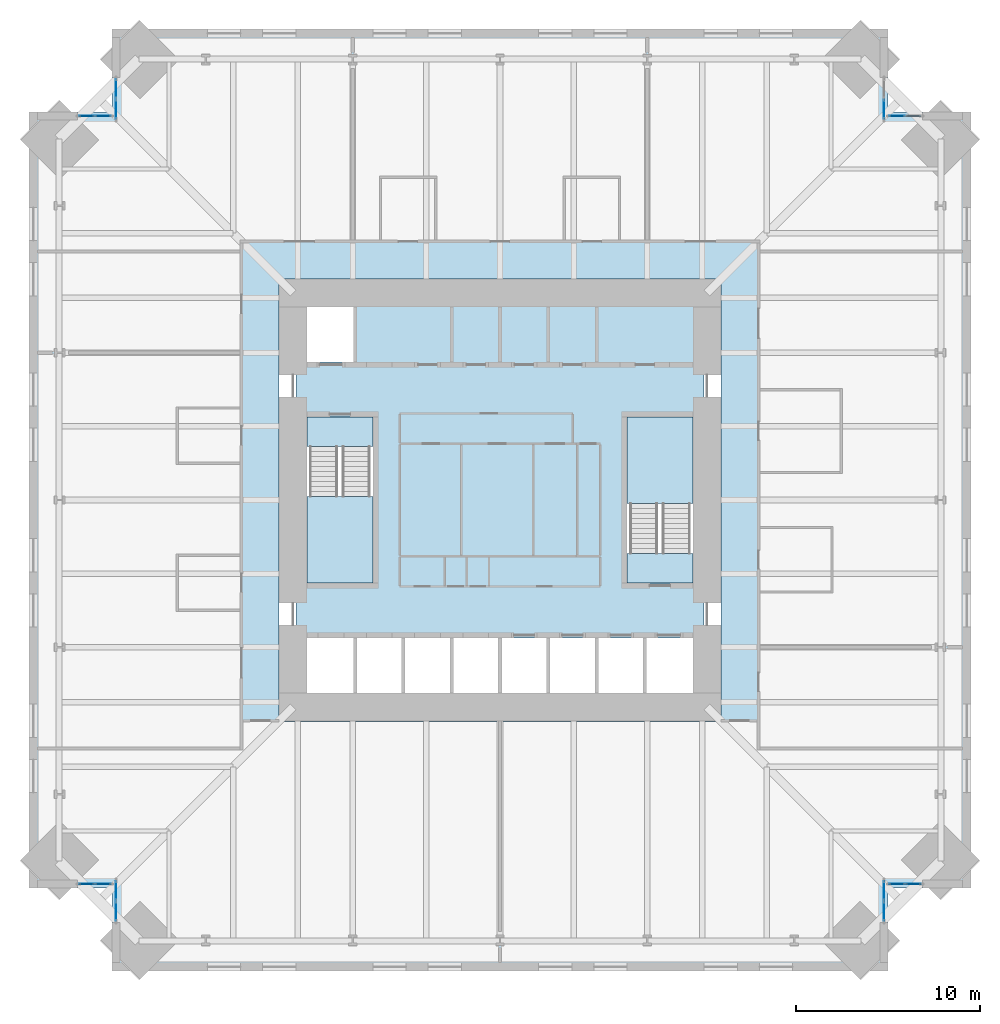
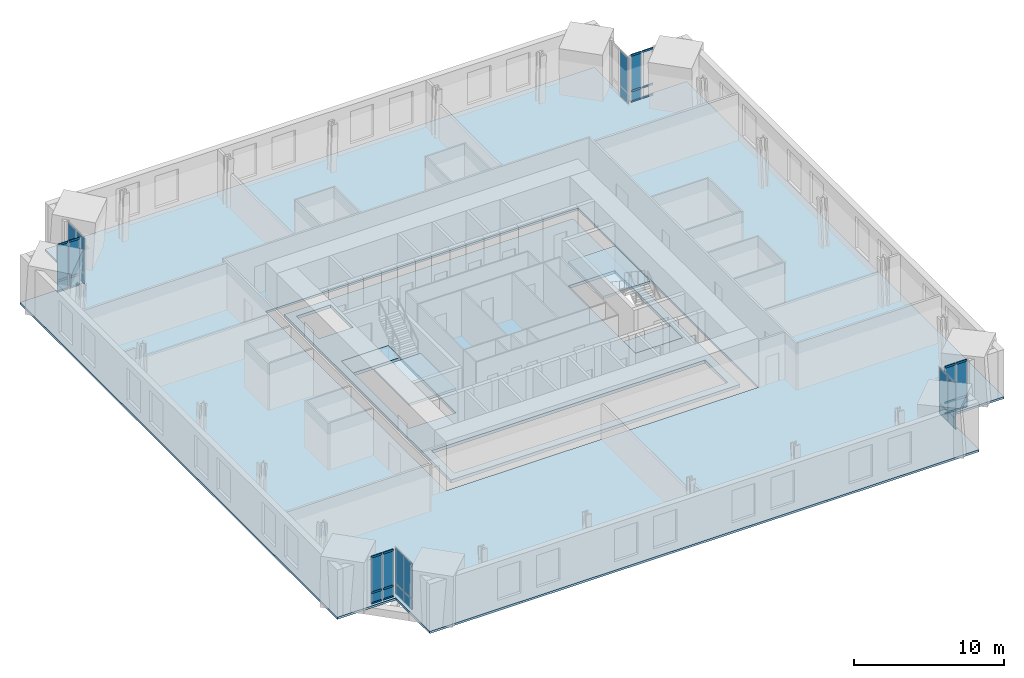
# One storey, part 12 of 18: 28 plates, 24 members, 6 slabs, 10 elements without a shape of their own.
"""IFC4 building model written with IfcOpenShell, lengths in metres."""

from ifc_helpers import new_model, si_unit, direction, frame, origin, origin_2d, place, context, subcontext, project, spatial, polyline, rectangle, hollow_rectangle, outline, extrude, material, layer, layer_set, material_profile, profile_set, type_object, element, aggregate, save


model = new_model("IFC4")

# Units and contexts
model_context = context("Model", 3, precision=1e-05, world=origin(), true_north=direction((0.0, 1.0)))
body_context = subcontext(model_context, "Body", "Model", "MODEL_VIEW")
ifc_project = project(units=[si_unit("LENGTHUNIT", "METRE"), si_unit("AREAUNIT", "SQUARE_METRE"), si_unit("VOLUMEUNIT", "CUBIC_METRE"), si_unit("PLANEANGLEUNIT", "RADIAN"), si_unit("MASSUNIT", "GRAM", prefix="KILO")], contexts=[model_context])

# Site, building, storey
site_placement = place(None, origin())
site = spatial("IfcSite", under=ifc_project, at=site_placement, CompositionType="ELEMENT")
building_placement = place(site_placement, origin())
building = spatial("IfcBuilding", under=site, at=building_placement, Name="Peilmerk Tower", CompositionType="ELEMENT")
storey_placement = place(building_placement, frame((0.0, 0.0, 171.800048828125)))
storey = spatial("IfcBuildingStorey", under=building, at=storey_placement, Name="L36", CompositionType="ELEMENT", Elevation=171.800048828125)

# Curtain wall, members
ifc_material_1 = material(Name="Aluminium stick curtain wall", Category="aluminium")
curtain_wall_type = type_object("IfcCurtainWallType", Name="CW3 stick curtain wall, 2250 module", PredefinedType="NOTDEFINED", material=ifc_material_1)
curtain_wall_1_placement = place(storey_placement, origin())
curtain_wall_1 = element("IfcCurtainWall", 1, at=curtain_wall_1_placement, inside=storey, type_object=curtain_wall_type, Name="Curtain wall CW3 NEB L36", PredefinedType="NOTDEFINED")
ifc_material_2 = material(Name="Aluminium EN AW-6063 T6", Category="aluminium")
ifc_material_profile = material_profile(ifc_material_2, hollow_rectangle(XDim=0.06494140625, YDim=0.14990234375, WallThickness=0.0029296875, at=origin_2d()), Name="AL 150x65x3")
ifc_profile_set = profile_set([ifc_material_profile], Name="Aluminium EN AW-6063 T6")
member_type = type_object("IfcMemberType", Name="CW3-T AL 150x65x3 transom", PredefinedType="USERDEFINED", material=ifc_profile_set)
member_1_placement = place(storey_placement, frame((21.1650390625, 20.875, 0.032470703125), z_axis=(1.0, 0.0, 0.0), x_axis=(0.0, 1.0, 0.0)))
member_1 = element("IfcMember", 2, at=member_1_placement, type_object=member_type, Name="CW3 transom 1.1", ObjectType="TRANSOM", PredefinedType="USERDEFINED", context=body_context, shape_type="SweptSolid", body=[
    extrude(hollow_rectangle(XDim=0.06494140625, YDim=0.14990234375, WallThickness=0.0029296875, at=origin_2d()), origin(), (0.0, 0.0, 1.0), 0.82177734375),
])
member_2_placement = place(storey_placement, frame((21.1650390625, 20.875, 0.89990234375), z_axis=(1.0, 0.0, 0.0), x_axis=(0.0, 1.0, 0.0)))
member_2 = element("IfcMember", 3, at=member_2_placement, type_object=member_type, Name="CW3 transom 1.2", ObjectType="TRANSOM", PredefinedType="USERDEFINED", context=body_context, shape_type="SweptSolid", body=[
    extrude(hollow_rectangle(XDim=0.06494140625, YDim=0.14990234375, WallThickness=0.0029296875, at=origin_2d()), origin(), (0.0, 0.0, 1.0), 0.82177734375),
])
member_3_placement = place(storey_placement, frame((21.1650390625, 20.875, 3.79736328125), z_axis=(1.0, 0.0, 0.0), x_axis=(0.0, 1.0, 0.0)))
member_3 = element("IfcMember", 4, at=member_3_placement, type_object=member_type, Name="CW3 transom 1.3", ObjectType="TRANSOM", PredefinedType="USERDEFINED", context=body_context, shape_type="SweptSolid", body=[
    extrude(hollow_rectangle(XDim=0.06494140625, YDim=0.14990234375, WallThickness=0.0029296875, at=origin_2d()), origin(), (0.0, 0.0, 1.0), 0.82177734375),
])
member_4_placement = place(storey_placement, frame((22.0517578125, 20.875, 0.032470703125), z_axis=(1.0, 0.0, 0.0), x_axis=(0.0, 1.0, 0.0)))
member_4 = element("IfcMember", 5, at=member_4_placement, type_object=member_type, Name="CW3 transom 2.1", ObjectType="TRANSOM", PredefinedType="USERDEFINED", context=body_context, shape_type="SweptSolid", body=[
    extrude(hollow_rectangle(XDim=0.06494140625, YDim=0.14990234375, WallThickness=0.0029296875, at=origin_2d()), origin(), (0.0, 0.0, 1.0), 0.822021484375),
])
member_5_placement = place(storey_placement, frame((22.0517578125, 20.875, 0.89990234375), z_axis=(1.0, 0.0, 0.0), x_axis=(0.0, 1.0, 0.0)))
member_5 = element("IfcMember", 6, at=member_5_placement, type_object=member_type, Name="CW3 transom 2.2", ObjectType="TRANSOM", PredefinedType="USERDEFINED", context=body_context, shape_type="SweptSolid", body=[
    extrude(hollow_rectangle(XDim=0.06494140625, YDim=0.14990234375, WallThickness=0.0029296875, at=origin_2d()), origin(), (0.0, 0.0, 1.0), 0.822021484375),
])
member_6_placement = place(storey_placement, frame((22.0517578125, 20.875, 3.79736328125), z_axis=(1.0, 0.0, 0.0), x_axis=(0.0, 1.0, 0.0)))
member_6 = element("IfcMember", 7, at=member_6_placement, type_object=member_type, Name="CW3 transom 2.3", ObjectType="TRANSOM", PredefinedType="USERDEFINED", context=body_context, shape_type="SweptSolid", body=[
    extrude(hollow_rectangle(XDim=0.06494140625, YDim=0.14990234375, WallThickness=0.0029296875, at=origin_2d()), origin(), (0.0, 0.0, 1.0), 0.822021484375),
])

curtain_wall_2_placement = place(storey_placement, origin())
curtain_wall_2 = element("IfcCurtainWall", 8, at=curtain_wall_2_placement, inside=storey, type_object=curtain_wall_type, Name="Curtain wall CW3 SEB L36", PredefinedType="NOTDEFINED")
member_7_placement = place(storey_placement, frame((21.1650390625, -20.875, 0.032470703125), z_axis=(1.0, 0.0, 0.0), x_axis=(0.0, 1.0, 0.0)))
member_7 = element("IfcMember", 9, at=member_7_placement, type_object=member_type, Name="CW3 transom 1.1", ObjectType="TRANSOM", PredefinedType="USERDEFINED", context=body_context, shape_type="SweptSolid", body=[
    extrude(hollow_rectangle(XDim=0.06494140625, YDim=0.14990234375, WallThickness=0.0029296875, at=origin_2d()), origin(), (0.0, 0.0, 1.0), 0.82177734375),
])
member_8_placement = place(storey_placement, frame((21.1650390625, -20.875, 0.89990234375), z_axis=(1.0, 0.0, 0.0), x_axis=(0.0, 1.0, 0.0)))
member_8 = element("IfcMember", 10, at=member_8_placement, type_object=member_type, Name="CW3 transom 1.2", ObjectType="TRANSOM", PredefinedType="USERDEFINED", context=body_context, shape_type="SweptSolid", body=[
    extrude(hollow_rectangle(XDim=0.06494140625, YDim=0.14990234375, WallThickness=0.0029296875, at=origin_2d()), origin(), (0.0, 0.0, 1.0), 0.82177734375),
])
member_9_placement = place(storey_placement, frame((21.1650390625, -20.875, 3.79736328125), z_axis=(1.0, 0.0, 0.0), x_axis=(0.0, 1.0, 0.0)))
member_9 = element("IfcMember", 11, at=member_9_placement, type_object=member_type, Name="CW3 transom 1.3", ObjectType="TRANSOM", PredefinedType="USERDEFINED", context=body_context, shape_type="SweptSolid", body=[
    extrude(hollow_rectangle(XDim=0.06494140625, YDim=0.14990234375, WallThickness=0.0029296875, at=origin_2d()), origin(), (0.0, 0.0, 1.0), 0.82177734375),
])
member_10_placement = place(storey_placement, frame((22.0517578125, -20.875, 0.032470703125), z_axis=(1.0, 0.0, 0.0), x_axis=(0.0, 1.0, 0.0)))
member_10 = element("IfcMember", 12, at=member_10_placement, type_object=member_type, Name="CW3 transom 2.1", ObjectType="TRANSOM", PredefinedType="USERDEFINED", context=body_context, shape_type="SweptSolid", body=[
    extrude(hollow_rectangle(XDim=0.06494140625, YDim=0.14990234375, WallThickness=0.0029296875, at=origin_2d()), origin(), (0.0, 0.0, 1.0), 0.822021484375),
])
member_11_placement = place(storey_placement, frame((22.0517578125, -20.875, 0.89990234375), z_axis=(1.0, 0.0, 0.0), x_axis=(0.0, 1.0, 0.0)))
member_11 = element("IfcMember", 13, at=member_11_placement, type_object=member_type, Name="CW3 transom 2.2", ObjectType="TRANSOM", PredefinedType="USERDEFINED", context=body_context, shape_type="SweptSolid", body=[
    extrude(hollow_rectangle(XDim=0.06494140625, YDim=0.14990234375, WallThickness=0.0029296875, at=origin_2d()), origin(), (0.0, 0.0, 1.0), 0.822021484375),
])
member_12_placement = place(storey_placement, frame((22.0517578125, -20.875, 3.79736328125), z_axis=(1.0, 0.0, 0.0), x_axis=(0.0, 1.0, 0.0)))
member_12 = element("IfcMember", 14, at=member_12_placement, type_object=member_type, Name="CW3 transom 2.3", ObjectType="TRANSOM", PredefinedType="USERDEFINED", context=body_context, shape_type="SweptSolid", body=[
    extrude(hollow_rectangle(XDim=0.06494140625, YDim=0.14990234375, WallThickness=0.0029296875, at=origin_2d()), origin(), (0.0, 0.0, 1.0), 0.822021484375),
])

curtain_wall_3_placement = place(storey_placement, origin())
curtain_wall_3 = element("IfcCurtainWall", 15, at=curtain_wall_3_placement, inside=storey, type_object=curtain_wall_type, Name="Curtain wall CW3 SWB L36", PredefinedType="NOTDEFINED")
member_13_placement = place(storey_placement, frame((-21.1650390625, -20.875, 0.032470703125), z_axis=(-1.0, 0.0, 0.0), x_axis=(0.0, -1.0, 0.0)))
member_13 = element("IfcMember", 16, at=member_13_placement, type_object=member_type, Name="CW3 transom 1.1", ObjectType="TRANSOM", PredefinedType="USERDEFINED", context=body_context, shape_type="SweptSolid", body=[
    extrude(hollow_rectangle(XDim=0.06494140625, YDim=0.14990234375, WallThickness=0.0029296875, at=origin_2d()), origin(), (0.0, 0.0, 1.0), 0.82177734375),
])
member_14_placement = place(storey_placement, frame((-21.1650390625, -20.875, 0.89990234375), z_axis=(-1.0, 0.0, 0.0), x_axis=(0.0, -1.0, 0.0)))
member_14 = element("IfcMember", 17, at=member_14_placement, type_object=member_type, Name="CW3 transom 1.2", ObjectType="TRANSOM", PredefinedType="USERDEFINED", context=body_context, shape_type="SweptSolid", body=[
    extrude(hollow_rectangle(XDim=0.06494140625, YDim=0.14990234375, WallThickness=0.0029296875, at=origin_2d()), origin(), (0.0, 0.0, 1.0), 0.82177734375),
])
member_15_placement = place(storey_placement, frame((-21.1650390625, -20.875, 3.79736328125), z_axis=(-1.0, 0.0, 0.0), x_axis=(0.0, -1.0, 0.0)))
member_15 = element("IfcMember", 18, at=member_15_placement, type_object=member_type, Name="CW3 transom 1.3", ObjectType="TRANSOM", PredefinedType="USERDEFINED", context=body_context, shape_type="SweptSolid", body=[
    extrude(hollow_rectangle(XDim=0.06494140625, YDim=0.14990234375, WallThickness=0.0029296875, at=origin_2d()), origin(), (0.0, 0.0, 1.0), 0.82177734375),
])
member_16_placement = place(storey_placement, frame((-22.0517578125, -20.875, 0.032470703125), z_axis=(-1.0, 0.0, 0.0), x_axis=(0.0, -1.0, 0.0)))
member_16 = element("IfcMember", 19, at=member_16_placement, type_object=member_type, Name="CW3 transom 2.1", ObjectType="TRANSOM", PredefinedType="USERDEFINED", context=body_context, shape_type="SweptSolid", body=[
    extrude(hollow_rectangle(XDim=0.06494140625, YDim=0.14990234375, WallThickness=0.0029296875, at=origin_2d()), origin(), (0.0, 0.0, 1.0), 0.822021484375),
])
member_17_placement = place(storey_placement, frame((-22.0517578125, -20.875, 0.89990234375), z_axis=(-1.0, 0.0, 0.0), x_axis=(0.0, -1.0, 0.0)))
member_17 = element("IfcMember", 20, at=member_17_placement, type_object=member_type, Name="CW3 transom 2.2", ObjectType="TRANSOM", PredefinedType="USERDEFINED", context=body_context, shape_type="SweptSolid", body=[
    extrude(hollow_rectangle(XDim=0.06494140625, YDim=0.14990234375, WallThickness=0.0029296875, at=origin_2d()), origin(), (0.0, 0.0, 1.0), 0.822021484375),
])
member_18_placement = place(storey_placement, frame((-22.0517578125, -20.875, 3.79736328125), z_axis=(-1.0, 0.0, 0.0), x_axis=(0.0, -1.0, 0.0)))
member_18 = element("IfcMember", 21, at=member_18_placement, type_object=member_type, Name="CW3 transom 2.3", ObjectType="TRANSOM", PredefinedType="USERDEFINED", context=body_context, shape_type="SweptSolid", body=[
    extrude(hollow_rectangle(XDim=0.06494140625, YDim=0.14990234375, WallThickness=0.0029296875, at=origin_2d()), origin(), (0.0, 0.0, 1.0), 0.822021484375),
])

curtain_wall_4_placement = place(storey_placement, origin())
curtain_wall_4 = element("IfcCurtainWall", 22, at=curtain_wall_4_placement, inside=storey, type_object=curtain_wall_type, Name="Curtain wall CW3 NWB L36", PredefinedType="NOTDEFINED")
member_19_placement = place(storey_placement, frame((-21.1650390625, 20.875, 0.032470703125), z_axis=(-1.0, 0.0, 0.0), x_axis=(0.0, -1.0, 0.0)))
member_19 = element("IfcMember", 23, at=member_19_placement, type_object=member_type, Name="CW3 transom 1.1", ObjectType="TRANSOM", PredefinedType="USERDEFINED", context=body_context, shape_type="SweptSolid", body=[
    extrude(hollow_rectangle(XDim=0.06494140625, YDim=0.14990234375, WallThickness=0.0029296875, at=origin_2d()), origin(), (0.0, 0.0, 1.0), 0.82177734375),
])
member_20_placement = place(storey_placement, frame((-21.1650390625, 20.875, 0.89990234375), z_axis=(-1.0, 0.0, 0.0), x_axis=(0.0, -1.0, 0.0)))
member_20 = element("IfcMember", 24, at=member_20_placement, type_object=member_type, Name="CW3 transom 1.2", ObjectType="TRANSOM", PredefinedType="USERDEFINED", context=body_context, shape_type="SweptSolid", body=[
    extrude(hollow_rectangle(XDim=0.06494140625, YDim=0.14990234375, WallThickness=0.0029296875, at=origin_2d()), origin(), (0.0, 0.0, 1.0), 0.82177734375),
])
member_21_placement = place(storey_placement, frame((-21.1650390625, 20.875, 3.79736328125), z_axis=(-1.0, 0.0, 0.0), x_axis=(0.0, -1.0, 0.0)))
member_21 = element("IfcMember", 25, at=member_21_placement, type_object=member_type, Name="CW3 transom 1.3", ObjectType="TRANSOM", PredefinedType="USERDEFINED", context=body_context, shape_type="SweptSolid", body=[
    extrude(hollow_rectangle(XDim=0.06494140625, YDim=0.14990234375, WallThickness=0.0029296875, at=origin_2d()), origin(), (0.0, 0.0, 1.0), 0.82177734375),
])
member_22_placement = place(storey_placement, frame((-22.0517578125, 20.875, 0.032470703125), z_axis=(-1.0, 0.0, 0.0), x_axis=(0.0, -1.0, 0.0)))
member_22 = element("IfcMember", 26, at=member_22_placement, type_object=member_type, Name="CW3 transom 2.1", ObjectType="TRANSOM", PredefinedType="USERDEFINED", context=body_context, shape_type="SweptSolid", body=[
    extrude(hollow_rectangle(XDim=0.06494140625, YDim=0.14990234375, WallThickness=0.0029296875, at=origin_2d()), origin(), (0.0, 0.0, 1.0), 0.822021484375),
])
member_23_placement = place(storey_placement, frame((-22.0517578125, 20.875, 0.89990234375), z_axis=(-1.0, 0.0, 0.0), x_axis=(0.0, -1.0, 0.0)))
member_23 = element("IfcMember", 27, at=member_23_placement, type_object=member_type, Name="CW3 transom 2.2", ObjectType="TRANSOM", PredefinedType="USERDEFINED", context=body_context, shape_type="SweptSolid", body=[
    extrude(hollow_rectangle(XDim=0.06494140625, YDim=0.14990234375, WallThickness=0.0029296875, at=origin_2d()), origin(), (0.0, 0.0, 1.0), 0.822021484375),
])
member_24_placement = place(storey_placement, frame((-22.0517578125, 20.875, 3.79736328125), z_axis=(-1.0, 0.0, 0.0), x_axis=(0.0, -1.0, 0.0)))
member_24 = element("IfcMember", 28, at=member_24_placement, type_object=member_type, Name="CW3 transom 2.3", ObjectType="TRANSOM", PredefinedType="USERDEFINED", context=body_context, shape_type="SweptSolid", body=[
    extrude(hollow_rectangle(XDim=0.06494140625, YDim=0.14990234375, WallThickness=0.0029296875, at=origin_2d()), origin(), (0.0, 0.0, 1.0), 0.822021484375),
])

# Slab
ifc_material_3 = material(Name="Concrete C55/67", Category="concrete")
ifc_layer_1 = layer(ifc_material_3, 0.25)
ifc_layer_set_1 = layer_set([ifc_layer_1], Name="Concrete C55/67")
slab_type_1 = type_object("IfcSlabType", Name="CS250 250 core floor slab", PredefinedType="FLOOR", material=ifc_layer_set_1)
slab_1_placement = place(storey_placement, frame((0.0, 0.0, -0.25)))
element("IfcSlab", 29, at=slab_1_placement, inside=storey, type_object=slab_type_1, Name="Core slab L36", PredefinedType="FLOOR", context=body_context, shape_type="SweptSolid", body=[
    extrude(outline(polyline([(11.10009765625, 11.10009765625), (-11.10009765625, 11.10009765625), (-11.10009765625, -11.10009765625), (11.10009765625, -11.10009765625), (11.10009765625, 11.10009765625)]), holes=[polyline([(-10.5, 7.5), (-10.5, 10.5), (-7.875, 10.5), (-7.875, 7.5), (-10.5, 7.5)]), polyline([(-10.5, -10.5), (-10.5, -7.5), (10.5, -7.5), (10.5, -10.5), (-10.5, -10.5)]), polyline([(-10.5, 4.5), (-6.89990234375, 4.5), (-6.89990234375, -4.5), (-10.5, -4.5), (-10.5, 4.5)]), polyline([(10.5, 4.5), (10.5, -4.5), (6.89990234375, -4.5), (6.89990234375, 4.5), (10.5, 4.5)])]), origin(), (0.0, 0.0, 1.0), 0.25),
])

# Curtain wall, plates
curtain_wall_5_placement = place(storey_placement, origin())
curtain_wall_5 = element("IfcCurtainWall", 30, at=curtain_wall_5_placement, inside=storey, type_object=curtain_wall_type, Name="Curtain wall CW3 NEA L36", PredefinedType="NOTDEFINED")
ifc_material_4 = material(Name="Clear insulated glazing unit", Category="glass")
ifc_layer_2 = layer(ifc_material_4, 0.028076171875)
ifc_layer_set_2 = layer_set([ifc_layer_2], Name="Clear insulated glazing unit")
plate_type = type_object("IfcPlateType", Name="CW3-P 28 glazed panel", PredefinedType="CURTAIN_PANEL", material=ifc_layer_set_2)
plate_1_placement = place(storey_placement, frame((20.875, 21.238525390625, 0.06494140625), z_axis=(0.0, 0.0, 1.0), x_axis=(0.0, 1.0, 0.0)))
plate_1 = element("IfcPlate", 31, at=plate_1_placement, type_object=plate_type, Name="CW3 panel 1.1", PredefinedType="CURTAIN_PANEL", context=body_context, shape_type="SweptSolid", body=[
    extrude(rectangle(XDim=1.046875, YDim=0.028076171875, at=origin_2d()), origin(), (0.0, 0.0, 1.0), 0.802490234375),
])
plate_2_placement = place(storey_placement, frame((20.875, 21.238525390625, 0.932373046875), z_axis=(0.0, 0.0, 1.0), x_axis=(0.0, 1.0, 0.0)))
plate_2 = element("IfcPlate", 32, at=plate_2_placement, type_object=plate_type, Name="CW3 panel 1.2", PredefinedType="CURTAIN_PANEL", context=body_context, shape_type="SweptSolid", body=[
    extrude(rectangle(XDim=1.046875, YDim=0.028076171875, at=origin_2d()), origin(), (0.0, 0.0, 1.0), 2.83251953125),
])
aggregate(curtain_wall_5, [plate_1, plate_2])

# Plate
plate_3_placement = place(storey_placement, frame((21.575927734375, 20.875, 0.06494140625), z_axis=(0.0, 0.0, 1.0), x_axis=(1.0, 0.0, 0.0)))
plate_3 = element("IfcPlate", 33, at=plate_3_placement, type_object=plate_type, Name="CW3 panel 1.1", PredefinedType="CURTAIN_PANEL", context=body_context, shape_type="SweptSolid", body=[
    extrude(rectangle(XDim=0.82177734375, YDim=0.028076171875, at=origin_2d()), origin(), (0.0, 0.0, 1.0), 0.802490234375),
])

plate_4_placement = place(storey_placement, frame((21.575927734375, 20.875, 0.932373046875), z_axis=(0.0, 0.0, 1.0), x_axis=(1.0, 0.0, 0.0)))
plate_4 = element("IfcPlate", 34, at=plate_4_placement, type_object=plate_type, Name="CW3 panel 1.2", PredefinedType="CURTAIN_PANEL", context=body_context, shape_type="SweptSolid", body=[
    extrude(rectangle(XDim=0.82177734375, YDim=0.028076171875, at=origin_2d()), origin(), (0.0, 0.0, 1.0), 2.83251953125),
])

aggregate(curtain_wall_1, [member_1, member_2, member_3, plate_3, plate_4, member_4, member_5, member_6])

# Curtain wall, plates
curtain_wall_6_placement = place(storey_placement, origin())
curtain_wall_6 = element("IfcCurtainWall", 35, at=curtain_wall_6_placement, inside=storey, type_object=curtain_wall_type, Name="Curtain wall CW3 SEA L36", PredefinedType="NOTDEFINED")
plate_5_placement = place(storey_placement, frame((20.875, -21.238525390625, 0.06494140625), z_axis=(0.0, 0.0, 1.0), x_axis=(0.0, -1.0, 0.0)))
plate_5 = element("IfcPlate", 36, at=plate_5_placement, type_object=plate_type, Name="CW3 panel 1.1", PredefinedType="CURTAIN_PANEL", context=body_context, shape_type="SweptSolid", body=[
    extrude(rectangle(XDim=1.046875, YDim=0.028076171875, at=origin_2d()), origin(), (0.0, 0.0, 1.0), 0.802490234375),
])
plate_6_placement = place(storey_placement, frame((20.875, -21.238525390625, 0.932373046875), z_axis=(0.0, 0.0, 1.0), x_axis=(0.0, -1.0, 0.0)))
plate_6 = element("IfcPlate", 37, at=plate_6_placement, type_object=plate_type, Name="CW3 panel 1.2", PredefinedType="CURTAIN_PANEL", context=body_context, shape_type="SweptSolid", body=[
    extrude(rectangle(XDim=1.046875, YDim=0.028076171875, at=origin_2d()), origin(), (0.0, 0.0, 1.0), 2.83251953125),
])
plate_7_placement = place(storey_placement, frame((20.875, -22.350341796875, 0.06494140625), z_axis=(0.0, 0.0, 1.0), x_axis=(0.0, -1.0, 0.0)))
plate_7 = element("IfcPlate", 38, at=plate_7_placement, type_object=plate_type, Name="CW3 panel 2.1", PredefinedType="CURTAIN_PANEL", context=body_context, shape_type="SweptSolid", body=[
    extrude(rectangle(XDim=1.046875, YDim=0.028076171875, at=origin_2d()), origin(), (0.0, 0.0, 1.0), 0.802490234375),
])
plate_8_placement = place(storey_placement, frame((20.875, -22.350341796875, 0.932373046875), z_axis=(0.0, 0.0, 1.0), x_axis=(0.0, -1.0, 0.0)))
plate_8 = element("IfcPlate", 39, at=plate_8_placement, type_object=plate_type, Name="CW3 panel 2.2", PredefinedType="CURTAIN_PANEL", context=body_context, shape_type="SweptSolid", body=[
    extrude(rectangle(XDim=1.046875, YDim=0.028076171875, at=origin_2d()), origin(), (0.0, 0.0, 1.0), 2.83251953125),
])
aggregate(curtain_wall_6, [plate_5, plate_6, plate_7, plate_8])

# Plate
plate_9_placement = place(storey_placement, frame((21.575927734375, -20.875, 0.06494140625), z_axis=(0.0, 0.0, 1.0), x_axis=(1.0, 0.0, 0.0)))
plate_9 = element("IfcPlate", 40, at=plate_9_placement, type_object=plate_type, Name="CW3 panel 1.1", PredefinedType="CURTAIN_PANEL", context=body_context, shape_type="SweptSolid", body=[
    extrude(rectangle(XDim=0.82177734375, YDim=0.028076171875, at=origin_2d()), origin(), (0.0, 0.0, 1.0), 0.802490234375),
])

plate_10_placement = place(storey_placement, frame((21.575927734375, -20.875, 0.932373046875), z_axis=(0.0, 0.0, 1.0), x_axis=(1.0, 0.0, 0.0)))
plate_10 = element("IfcPlate", 41, at=plate_10_placement, type_object=plate_type, Name="CW3 panel 1.2", PredefinedType="CURTAIN_PANEL", context=body_context, shape_type="SweptSolid", body=[
    extrude(rectangle(XDim=0.82177734375, YDim=0.028076171875, at=origin_2d()), origin(), (0.0, 0.0, 1.0), 2.83251953125),
])

plate_11_placement = place(storey_placement, frame((22.462646484375, -20.875, 0.06494140625), z_axis=(0.0, 0.0, 1.0), x_axis=(1.0, 0.0, 0.0)))
plate_11 = element("IfcPlate", 42, at=plate_11_placement, type_object=plate_type, Name="CW3 panel 2.1", PredefinedType="CURTAIN_PANEL", context=body_context, shape_type="SweptSolid", body=[
    extrude(rectangle(XDim=0.82177734375, YDim=0.028076171875, at=origin_2d()), origin(), (0.0, 0.0, 1.0), 0.802490234375),
])

plate_12_placement = place(storey_placement, frame((22.462646484375, -20.875, 0.932373046875), z_axis=(0.0, 0.0, 1.0), x_axis=(1.0, 0.0, 0.0)))
plate_12 = element("IfcPlate", 43, at=plate_12_placement, type_object=plate_type, Name="CW3 panel 2.2", PredefinedType="CURTAIN_PANEL", context=body_context, shape_type="SweptSolid", body=[
    extrude(rectangle(XDim=0.82177734375, YDim=0.028076171875, at=origin_2d()), origin(), (0.0, 0.0, 1.0), 2.83251953125),
])

aggregate(curtain_wall_2, [member_7, member_8, member_9, plate_9, plate_10, member_10, member_11, member_12, plate_11, plate_12])

# Curtain wall, plates
curtain_wall_7_placement = place(storey_placement, origin())
curtain_wall_7 = element("IfcCurtainWall", 44, at=curtain_wall_7_placement, inside=storey, type_object=curtain_wall_type, Name="Curtain wall CW3 SWA L36", PredefinedType="NOTDEFINED")
plate_13_placement = place(storey_placement, frame((-20.875, -21.238525390625, 0.06494140625), z_axis=(0.0, 0.0, 1.0), x_axis=(0.0, -1.0, 0.0)))
plate_13 = element("IfcPlate", 45, at=plate_13_placement, type_object=plate_type, Name="CW3 panel 1.1", PredefinedType="CURTAIN_PANEL", context=body_context, shape_type="SweptSolid", body=[
    extrude(rectangle(XDim=1.046875, YDim=0.028076171875, at=origin_2d()), origin(), (0.0, 0.0, 1.0), 0.802490234375),
])
plate_14_placement = place(storey_placement, frame((-20.875, -21.238525390625, 0.932373046875), z_axis=(0.0, 0.0, 1.0), x_axis=(0.0, -1.0, 0.0)))
plate_14 = element("IfcPlate", 46, at=plate_14_placement, type_object=plate_type, Name="CW3 panel 1.2", PredefinedType="CURTAIN_PANEL", context=body_context, shape_type="SweptSolid", body=[
    extrude(rectangle(XDim=1.046875, YDim=0.028076171875, at=origin_2d()), origin(), (0.0, 0.0, 1.0), 2.83251953125),
])
plate_15_placement = place(storey_placement, frame((-20.875, -22.350341796875, 0.06494140625), z_axis=(0.0, 0.0, 1.0), x_axis=(0.0, -1.0, 0.0)))
plate_15 = element("IfcPlate", 47, at=plate_15_placement, type_object=plate_type, Name="CW3 panel 2.1", PredefinedType="CURTAIN_PANEL", context=body_context, shape_type="SweptSolid", body=[
    extrude(rectangle(XDim=1.046875, YDim=0.028076171875, at=origin_2d()), origin(), (0.0, 0.0, 1.0), 0.802490234375),
])
plate_16_placement = place(storey_placement, frame((-20.875, -22.350341796875, 0.932373046875), z_axis=(0.0, 0.0, 1.0), x_axis=(0.0, -1.0, 0.0)))
plate_16 = element("IfcPlate", 48, at=plate_16_placement, type_object=plate_type, Name="CW3 panel 2.2", PredefinedType="CURTAIN_PANEL", context=body_context, shape_type="SweptSolid", body=[
    extrude(rectangle(XDim=1.046875, YDim=0.028076171875, at=origin_2d()), origin(), (0.0, 0.0, 1.0), 2.83251953125),
])
aggregate(curtain_wall_7, [plate_13, plate_14, plate_15, plate_16])

# Plate
plate_17_placement = place(storey_placement, frame((-21.575927734375, -20.875, 0.06494140625), z_axis=(0.0, 0.0, 1.0), x_axis=(-1.0, 0.0, 0.0)))
plate_17 = element("IfcPlate", 49, at=plate_17_placement, type_object=plate_type, Name="CW3 panel 1.1", PredefinedType="CURTAIN_PANEL", context=body_context, shape_type="SweptSolid", body=[
    extrude(rectangle(XDim=0.82177734375, YDim=0.028076171875, at=origin_2d()), origin(), (0.0, 0.0, 1.0), 0.802490234375),
])

plate_18_placement = place(storey_placement, frame((-21.575927734375, -20.875, 0.932373046875), z_axis=(0.0, 0.0, 1.0), x_axis=(-1.0, 0.0, 0.0)))
plate_18 = element("IfcPlate", 50, at=plate_18_placement, type_object=plate_type, Name="CW3 panel 1.2", PredefinedType="CURTAIN_PANEL", context=body_context, shape_type="SweptSolid", body=[
    extrude(rectangle(XDim=0.82177734375, YDim=0.028076171875, at=origin_2d()), origin(), (0.0, 0.0, 1.0), 2.83251953125),
])

plate_19_placement = place(storey_placement, frame((-22.462646484375, -20.875, 0.06494140625), z_axis=(0.0, 0.0, 1.0), x_axis=(-1.0, 0.0, 0.0)))
plate_19 = element("IfcPlate", 51, at=plate_19_placement, type_object=plate_type, Name="CW3 panel 2.1", PredefinedType="CURTAIN_PANEL", context=body_context, shape_type="SweptSolid", body=[
    extrude(rectangle(XDim=0.82177734375, YDim=0.028076171875, at=origin_2d()), origin(), (0.0, 0.0, 1.0), 0.802490234375),
])

plate_20_placement = place(storey_placement, frame((-22.462646484375, -20.875, 0.932373046875), z_axis=(0.0, 0.0, 1.0), x_axis=(-1.0, 0.0, 0.0)))
plate_20 = element("IfcPlate", 52, at=plate_20_placement, type_object=plate_type, Name="CW3 panel 2.2", PredefinedType="CURTAIN_PANEL", context=body_context, shape_type="SweptSolid", body=[
    extrude(rectangle(XDim=0.82177734375, YDim=0.028076171875, at=origin_2d()), origin(), (0.0, 0.0, 1.0), 2.83251953125),
])

aggregate(curtain_wall_3, [member_13, member_14, member_15, plate_17, plate_18, member_16, member_17, member_18, plate_19, plate_20])

# Curtain wall, plates
curtain_wall_8_placement = place(storey_placement, origin())
curtain_wall_8 = element("IfcCurtainWall", 53, at=curtain_wall_8_placement, inside=storey, type_object=curtain_wall_type, Name="Curtain wall CW3 NWA L36", PredefinedType="NOTDEFINED")
plate_21_placement = place(storey_placement, frame((-20.875, 21.238525390625, 0.06494140625), z_axis=(0.0, 0.0, 1.0), x_axis=(0.0, 1.0, 0.0)))
plate_21 = element("IfcPlate", 54, at=plate_21_placement, type_object=plate_type, Name="CW3 panel 1.1", PredefinedType="CURTAIN_PANEL", context=body_context, shape_type="SweptSolid", body=[
    extrude(rectangle(XDim=1.046875, YDim=0.028076171875, at=origin_2d()), origin(), (0.0, 0.0, 1.0), 0.802490234375),
])
plate_22_placement = place(storey_placement, frame((-20.875, 21.238525390625, 0.932373046875), z_axis=(0.0, 0.0, 1.0), x_axis=(0.0, 1.0, 0.0)))
plate_22 = element("IfcPlate", 55, at=plate_22_placement, type_object=plate_type, Name="CW3 panel 1.2", PredefinedType="CURTAIN_PANEL", context=body_context, shape_type="SweptSolid", body=[
    extrude(rectangle(XDim=1.046875, YDim=0.028076171875, at=origin_2d()), origin(), (0.0, 0.0, 1.0), 2.83251953125),
])
plate_23_placement = place(storey_placement, frame((-20.875, 22.350341796875, 0.06494140625), z_axis=(0.0, 0.0, 1.0), x_axis=(0.0, 1.0, 0.0)))
plate_23 = element("IfcPlate", 56, at=plate_23_placement, type_object=plate_type, Name="CW3 panel 2.1", PredefinedType="CURTAIN_PANEL", context=body_context, shape_type="SweptSolid", body=[
    extrude(rectangle(XDim=1.046875, YDim=0.028076171875, at=origin_2d()), origin(), (0.0, 0.0, 1.0), 0.802490234375),
])
plate_24_placement = place(storey_placement, frame((-20.875, 22.350341796875, 0.932373046875), z_axis=(0.0, 0.0, 1.0), x_axis=(0.0, 1.0, 0.0)))
plate_24 = element("IfcPlate", 57, at=plate_24_placement, type_object=plate_type, Name="CW3 panel 2.2", PredefinedType="CURTAIN_PANEL", context=body_context, shape_type="SweptSolid", body=[
    extrude(rectangle(XDim=1.046875, YDim=0.028076171875, at=origin_2d()), origin(), (0.0, 0.0, 1.0), 2.83251953125),
])
aggregate(curtain_wall_8, [plate_21, plate_22, plate_23, plate_24])

# Plate
plate_25_placement = place(storey_placement, frame((-21.575927734375, 20.875, 0.06494140625), z_axis=(0.0, 0.0, 1.0), x_axis=(-1.0, 0.0, 0.0)))
plate_25 = element("IfcPlate", 58, at=plate_25_placement, type_object=plate_type, Name="CW3 panel 1.1", PredefinedType="CURTAIN_PANEL", context=body_context, shape_type="SweptSolid", body=[
    extrude(rectangle(XDim=0.82177734375, YDim=0.028076171875, at=origin_2d()), origin(), (0.0, 0.0, 1.0), 0.802490234375),
])

plate_26_placement = place(storey_placement, frame((-21.575927734375, 20.875, 0.932373046875), z_axis=(0.0, 0.0, 1.0), x_axis=(-1.0, 0.0, 0.0)))
plate_26 = element("IfcPlate", 59, at=plate_26_placement, type_object=plate_type, Name="CW3 panel 1.2", PredefinedType="CURTAIN_PANEL", context=body_context, shape_type="SweptSolid", body=[
    extrude(rectangle(XDim=0.82177734375, YDim=0.028076171875, at=origin_2d()), origin(), (0.0, 0.0, 1.0), 2.83251953125),
])

plate_27_placement = place(storey_placement, frame((-22.462646484375, 20.875, 0.06494140625), z_axis=(0.0, 0.0, 1.0), x_axis=(-1.0, 0.0, 0.0)))
plate_27 = element("IfcPlate", 60, at=plate_27_placement, type_object=plate_type, Name="CW3 panel 2.1", PredefinedType="CURTAIN_PANEL", context=body_context, shape_type="SweptSolid", body=[
    extrude(rectangle(XDim=0.82177734375, YDim=0.028076171875, at=origin_2d()), origin(), (0.0, 0.0, 1.0), 0.802490234375),
])

plate_28_placement = place(storey_placement, frame((-22.462646484375, 20.875, 0.932373046875), z_axis=(0.0, 0.0, 1.0), x_axis=(-1.0, 0.0, 0.0)))
plate_28 = element("IfcPlate", 61, at=plate_28_placement, type_object=plate_type, Name="CW3 panel 2.2", PredefinedType="CURTAIN_PANEL", context=body_context, shape_type="SweptSolid", body=[
    extrude(rectangle(XDim=0.82177734375, YDim=0.028076171875, at=origin_2d()), origin(), (0.0, 0.0, 1.0), 2.83251953125),
])

aggregate(curtain_wall_4, [member_19, member_20, member_21, plate_25, plate_26, member_22, member_23, member_24, plate_27, plate_28])

# Slab
ifc_material_5 = material(Name="Concrete C35/45", Category="concrete")
ifc_layer_3 = layer(ifc_material_5, 0.169921875)
ifc_layer_set_3 = layer_set([ifc_layer_3], Name="Concrete C35/45")
slab_type_2 = type_object("IfcSlabType", Name="FS170 170 composite floor slab", PredefinedType="FLOOR", material=ifc_layer_set_3)
slab_2_placement = place(storey_placement, frame((0.0, 0.0, -0.170166015625)))
element("IfcSlab", 62, at=slab_2_placement, inside=storey, type_object=slab_type_2, Name="Floor slab L36", PredefinedType="FLOOR", context=body_context, shape_type="SweptSolid", body=[
    extrude(outline(polyline([(-21.10009765625, -25.60009765625), (21.10009765625, -25.60009765625), (21.10009765625, -21.10009765625), (25.60009765625, -21.10009765625), (25.60009765625, 21.10009765625), (21.10009765625, 21.10009765625), (21.10009765625, 25.60009765625), (-21.10009765625, 25.60009765625), (-21.10009765625, 21.10009765625), (-25.60009765625, 21.10009765625), (-25.60009765625, -21.10009765625), (-21.10009765625, -21.10009765625), (-21.10009765625, -25.60009765625)]), holes=[polyline([(12.0, 12.0), (12.0, -12.0), (-12.0, -12.0), (-12.0, 12.0), (12.0, 12.0)])]), origin(), (0.0, 0.0, 1.0), 0.170166015625),
])

# Stair, slab
ifc_material_6 = material(Name="Precast concrete C45/55", Category="concrete")
stair_type_1 = type_object("IfcStairType", Name="ST1 22 risers of 181.8", PredefinedType="HALF_TURN_STAIR", material=ifc_material_6)
stair_1_placement = place(storey_placement, origin())
stair_1 = element("IfcStair", 63, at=stair_1_placement, inside=storey, type_object=stair_type_1, Name="Stair 1 L36 to L37", PredefinedType="HALF_TURN_STAIR")
ifc_layer_4 = layer(ifc_material_5, 0.199951171875)
ifc_layer_set_4 = layer_set([ifc_layer_4], Name="Concrete C35/45")
slab_type_3 = type_object("IfcSlabType", Name="SL1 200 concrete stair landing", PredefinedType="LANDING", material=ifc_layer_set_4)
slab_3_placement = place(storey_placement, frame((0.0, 0.0, 1.800048828125)))
slab_3 = element("IfcSlab", 64, at=slab_3_placement, type_object=slab_type_3, Name="ST1 landing 1", PredefinedType="LANDING", context=body_context, shape_type="SweptSolid", body=[
    extrude(outline(polyline([(-10.5, -4.5), (-6.89990234375, -4.5), (-6.89990234375, 0.199951171875), (-10.5, 0.199951171875), (-10.5, -4.5)])), origin(), (0.0, 0.0, 1.0), 0.199951171875),
])

stair_type_2 = type_object("IfcStairType", Name="ST2 22 risers of 181.8", PredefinedType="HALF_TURN_STAIR", material=ifc_material_6)
stair_2_placement = place(storey_placement, origin())
stair_2 = element("IfcStair", 65, at=stair_2_placement, inside=storey, type_object=stair_type_2, Name="Stair 2 L36 to L37", PredefinedType="HALF_TURN_STAIR")
slab_4_placement = place(storey_placement, frame((0.0, 0.0, 1.800048828125)))
slab_4 = element("IfcSlab", 66, at=slab_4_placement, type_object=slab_type_3, Name="ST2 landing 1", PredefinedType="LANDING", context=body_context, shape_type="SweptSolid", body=[
    extrude(outline(polyline([(6.89990234375, -0.199951171875), (10.5, -0.199951171875), (10.5, 4.5), (6.89990234375, 4.5), (6.89990234375, -0.199951171875)])), origin(), (0.0, 0.0, 1.0), 0.199951171875),
])

# Slab
ifc_layer_5 = layer(ifc_material_5, 0.25)
ifc_layer_set_5 = layer_set([ifc_layer_5], Name="Concrete C35/45")
slab_type_4 = type_object("IfcSlabType", Name="SL2 250 concrete floor landing", PredefinedType="LANDING", material=ifc_layer_set_5)
slab_5_placement = place(storey_placement, frame((0.0, 0.0, -0.25)))
slab_5 = element("IfcSlab", 67, at=slab_5_placement, type_object=slab_type_4, Name="ST1 floor landing", PredefinedType="LANDING", context=body_context, shape_type="SweptSolid", body=[
    extrude(outline(polyline([(-10.5, 2.89990234375), (-6.89990234375, 2.89990234375), (-6.89990234375, 4.5), (-10.5, 4.5), (-10.5, 2.89990234375)])), origin(), (0.0, 0.0, 1.0), 0.25),
])

aggregate(stair_1, [slab_3, slab_5])

slab_6_placement = place(storey_placement, frame((0.0, 0.0, -0.25)))
slab_6 = element("IfcSlab", 68, at=slab_6_placement, type_object=slab_type_4, Name="ST2 floor landing", PredefinedType="LANDING", context=body_context, shape_type="SweptSolid", body=[
    extrude(outline(polyline([(6.89990234375, -4.5), (10.5, -4.5), (10.5, -2.89990234375), (6.89990234375, -2.89990234375), (6.89990234375, -4.5)])), origin(), (0.0, 0.0, 1.0), 0.25),
])

aggregate(stair_2, [slab_4, slab_6])

save(model, "model.ifc")
